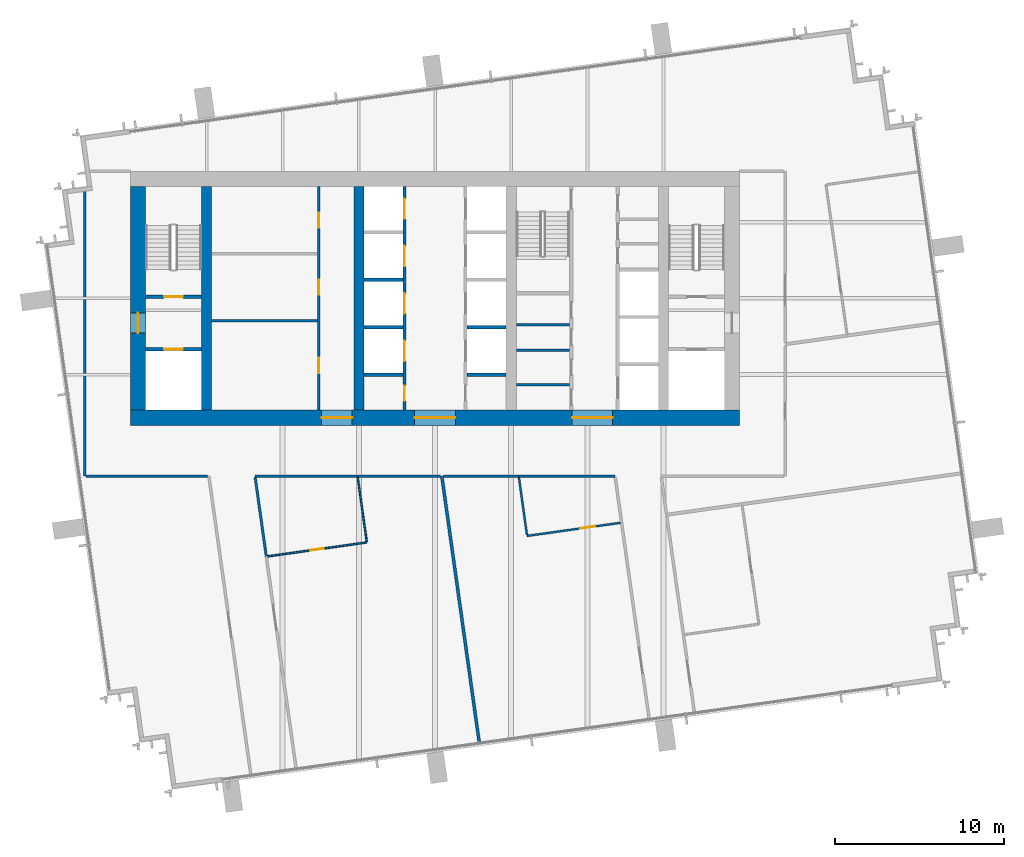
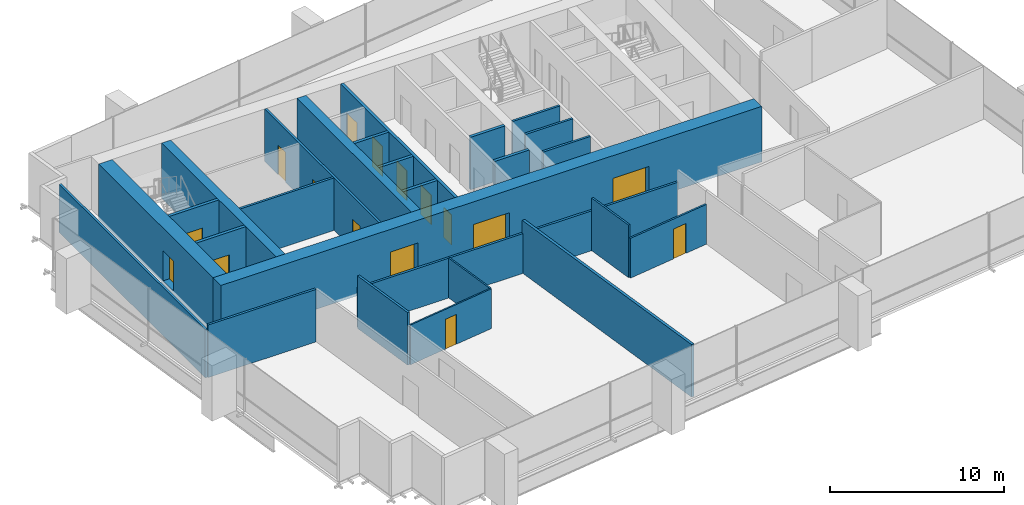
# One storey, part 9 of 13: 29 walls, 16 doors, 16 openings.
"""IFC4 building model written with IfcOpenShell, lengths in metres."""

import ifcopenshell
import ifcopenshell.guid

model = None  # the IFC model being written
_history = None  # IfcOwnerHistory: only IFC2X3 demands one
_inside = {}  # id of a spatial element -> (the spatial element, [elements in it])
_under = {}  # id of a project, library or spatial element -> (it, [spatial elements below it])
_declared = {}  # id of a project -> (the project, [libraries it declares])
_typed = {}  # id of a type object -> (the type object, [elements of that type])
_made_of = {}  # id of a material, layer set ... -> (it, [elements and type objects made of it])


def new_model(schema):
    """Start an empty IFC model of exactly this schema.

    Asked for "IFC4X3", IfcOpenShell would pick the latest addendum, in which some entities
    have other attributes; the version numbers below select the first issue.
    IFC2X3 requires an IfcOwnerHistory on every rooted entity: one is made here for all.
    """
    global model, _history
    if schema == "IFC4X3":
        model = ifcopenshell.file(schema_version=(4, 3, 0, 0))
    else:
        model = ifcopenshell.file(schema=schema)
    _inside.clear()
    _under.clear()
    _declared.clear()
    _typed.clear()
    _made_of.clear()
    _history = None
    if model.schema == "IFC2X3":
        org = make("IfcOrganization", Name="unknown")
        user = make(
            "IfcPersonAndOrganization",
            ThePerson=make("IfcPerson", FamilyName="unknown"),
            TheOrganization=org,
        )
        app = make(
            "IfcApplication",
            ApplicationDeveloper=org,
            Version="unknown",
            ApplicationFullName="unknown",
            ApplicationIdentifier="unknown",
        )
        _history = make(
            "IfcOwnerHistory",
            OwningUser=user,
            OwningApplication=app,
            ChangeAction="ADDED",
            CreationDate=0,
        )
    return model


def make(cls, **values):
    """One entity of the class cls with the attributes given. An attribute that is None is left unset."""
    return model.create_entity(
        cls, **{name: value for name, value in values.items() if value is not None}
    )


def rooted(cls, **values):
    """An entity with a GlobalId (a new one), such as an element, a storey or a relation."""
    return make(cls, GlobalId=ifcopenshell.guid.new(), OwnerHistory=_history, **values)


def si_unit(unit_type, name, prefix=None):
    """IfcSIUnit, for example si_unit("LENGTHUNIT", "METRE", prefix="MILLI")."""
    return make("IfcSIUnit", UnitType=unit_type, Prefix=prefix, Name=name)


def assignment(units):
    """IfcUnitAssignment: the units of a project."""
    return None if units is None else make("IfcUnitAssignment", Units=units)


def point(xyz):
    """IfcCartesianPoint."""
    return None if xyz is None else make("IfcCartesianPoint", Coordinates=xyz)


def direction(xyz):
    """IfcDirection."""
    return None if xyz is None else make("IfcDirection", DirectionRatios=xyz)


def frame(location, z_axis=None, x_axis=None):
    """IfcAxis2Placement3D, a coordinate frame: its origin and axes. An axis left out is left unset."""
    return make(
        "IfcAxis2Placement3D",
        Location=point(location),
        Axis=direction(z_axis),
        RefDirection=direction(x_axis),
    )


def frame_2d(location, x_axis=None):
    """IfcAxis2Placement2D, a coordinate frame in the plane: its origin and x axis."""
    return make(
        "IfcAxis2Placement2D", Location=point(location), RefDirection=direction(x_axis)
    )


def origin():
    """The frame at (0, 0, 0) with its axes left unset."""
    return frame((0.0, 0.0, 0.0))


def place(relative_to, where):
    """IfcLocalPlacement: puts the frame where relative to a parent placement (None: the world)."""
    return make(
        "IfcLocalPlacement", PlacementRelTo=relative_to, RelativePlacement=where
    )


def context(
    kind, dimensions, precision=None, world=None, true_north=None, identifier=None
):
    """IfcGeometricRepresentationContext, for example the 3D "Model" context."""
    return make(
        "IfcGeometricRepresentationContext",
        ContextIdentifier=identifier,
        ContextType=kind,
        CoordinateSpaceDimension=dimensions,
        Precision=precision,
        WorldCoordinateSystem=world,
        TrueNorth=true_north,
    )


def subcontext(parent, identifier, kind, view, scale=None):
    """IfcGeometricRepresentationSubContext, for example "Body" below "Model"."""
    return make(
        "IfcGeometricRepresentationSubContext",
        ContextIdentifier=identifier,
        ContextType=kind,
        ParentContext=parent,
        TargetScale=scale,
        TargetView=view,
    )


def project(units=None, contexts=None):
    """IfcProject with its units and contexts."""
    return rooted(
        "IfcProject",
        Name="project",
        RepresentationContexts=contexts,
        UnitsInContext=assignment(units),
    )


def spatial(cls, under=None, at=None, **own):
    """A site, building, storey or space (cls), placed at a placement, below another one or the project."""
    s = rooted(cls, ObjectPlacement=at, **own)
    if under is not None:
        _under.setdefault(under.id(), (under, []))[1].append(s)
    return s


def profile(cls, at=None, kind="AREA", **sizes):
    """A parametric profile (cls). Its sizes go by their IFC names, for example OverallWidth=200.0."""
    return make(cls, ProfileType=kind, Position=at, **sizes)


def rectangle(**sizes):
    """IfcRectangleProfileDef."""
    return profile("IfcRectangleProfileDef", **sizes)


def extrude(swept, where, along, depth):
    """IfcExtrudedAreaSolid: the profile swept, set in the frame where, extruded along a direction by depth."""
    return make(
        "IfcExtrudedAreaSolid",
        SweptArea=swept,
        Position=where,
        ExtrudedDirection=direction(along),
        Depth=depth,
    )


def shape(context_of_items, identifier, shape_type, items):
    """IfcShapeRepresentation: the items that make up one representation, for example the "Body"."""
    return make(
        "IfcShapeRepresentation",
        ContextOfItems=context_of_items,
        RepresentationIdentifier=identifier,
        RepresentationType=shape_type,
        Items=items,
    )


def material(Name=None, Category=None):
    """IfcMaterial."""
    return make("IfcMaterial", Name=Name, Category=Category)


def layer(
    of_material, thickness, ventilated=None, Name=None, Category=None, Priority=None
):
    """IfcMaterialLayer: one layer of a wall or slab, of a material (None: an air gap)."""
    return make(
        "IfcMaterialLayer",
        Material=of_material,
        LayerThickness=thickness,
        IsVentilated=ventilated,
        Name=Name,
        Category=Category,
        Priority=Priority,
    )


def layer_set(layers, Name=None):
    """IfcMaterialLayerSet."""
    return make("IfcMaterialLayerSet", MaterialLayers=layers, LayerSetName=Name)


def made_of(thing, what):
    """Note that an element or type object is made of a material, layer set ...; save() writes the relation."""
    if what is not None:
        _made_of.setdefault(what.id(), (what, []))[1].append(thing)
    return thing


def type_object(cls, material=None, **own):
    """A type object (cls), such as IfcWallType, which elements share."""
    return made_of(rooted(cls, **own), material)


def element(
    cls,
    number,
    at=None,
    inside=None,
    cuts=None,
    type_object=None,
    material=None,
    context=None,
    identifier="Body",
    shape_type=None,
    held_by="IfcProductDefinitionShape",
    body=None,
    shapes=None,
    **own,
):
    """One element of the class cls, such as IfcWall. Its Tag is "e" and its number.

    at: its placement. inside: the storey or other place that contains it. cuts: it is an
    opening in that element (IfcRelVoidsElement). A single representation is given by context,
    identifier, shape_type and body (its items); several are given by shapes. held_by: the class
    of the entity that holds the representations. save() writes the other relations.
    """
    e = rooted(cls, Tag="e%d" % number, ObjectPlacement=at, **own)
    if body is not None:
        shapes = [shape(context, identifier, shape_type, body)]
    if shapes is not None:
        e.Representation = make(held_by, Representations=shapes)
    if inside is not None:
        _inside.setdefault(inside.id(), (inside, []))[1].append(e)
    if cuts is not None:
        rooted(
            "IfcRelVoidsElement", RelatingBuildingElement=cuts, RelatedOpeningElement=e
        )
    if type_object is not None:
        _typed.setdefault(type_object.id(), (type_object, []))[1].append(e)
    return made_of(e, material)


def fill(opening, filler):
    """IfcRelFillsElement: the door or window that sits in an opening."""
    return rooted(
        "IfcRelFillsElement",
        RelatingOpeningElement=opening,
        RelatedBuildingElement=filler,
    )


def aggregate(whole, parts):
    """IfcRelAggregates: a whole, such as a stair, and the parts it consists of."""
    return rooted("IfcRelAggregates", RelatingObject=whole, RelatedObjects=parts)


def save(model, path):
    """Write the relations noted so far, then the file.

    IfcRelAggregates (storeys below a building ...), IfcRelContainedInSpatialStructure (elements
    in a storey), IfcRelDefinesByType, IfcRelAssociatesMaterial and IfcRelDeclares: one each for
    every whole, place, type object, material and project.
    """
    for whole, parts in _under.values():
        aggregate(whole, parts)
    for where, things in _inside.values():
        rooted(
            "IfcRelContainedInSpatialStructure",
            RelatedElements=things,
            RelatingStructure=where,
        )
    for kind, things in _typed.values():
        rooted("IfcRelDefinesByType", RelatedObjects=things, RelatingType=kind)
    for what, things in _made_of.values():
        rooted("IfcRelAssociatesMaterial", RelatedObjects=things, RelatingMaterial=what)
    for by, libraries in _declared.values():
        rooted("IfcRelDeclares", RelatingContext=by, RelatedDefinitions=libraries)
    model.write(path)


model = new_model("IFC4")

# Units and contexts
model_context = context("Model", 3, precision=1e-05, world=origin(), true_north=direction((0.0, 1.0)))
body_context = subcontext(model_context, "Body", "Model", "MODEL_VIEW")
ifc_project = project(units=[si_unit("LENGTHUNIT", "METRE"), si_unit("AREAUNIT", "SQUARE_METRE"), si_unit("VOLUMEUNIT", "CUBIC_METRE"), si_unit("PLANEANGLEUNIT", "RADIAN"), si_unit("MASSUNIT", "GRAM", prefix="KILO")], contexts=[model_context])

# Site, building, storey
site_placement = place(None, origin())
site = spatial("IfcSite", under=ifc_project, at=site_placement, CompositionType="ELEMENT")
building_placement = place(site_placement, origin())
building = spatial("IfcBuilding", under=site, at=building_placement, Name="Rattan Terrace Tower", CompositionType="ELEMENT")
storey_placement = place(building_placement, frame((0.0, 0.0, 240.800048828125)))
storey = spatial("IfcBuildingStorey", under=building, at=storey_placement, Name="L55", CompositionType="ELEMENT", Elevation=240.800048828125)

# Wall, openings, doors
ifc_material_1 = material(Name="Gypsum board partition")
ifc_layer_1 = layer(ifc_material_1, 0.14990234375)
ifc_layer_set_1 = layer_set([ifc_layer_1], Name="Core partition 150")
wall_type_1 = type_object("IfcWallType", Name="Core partition 150", PredefinedType="PARTITIONING", material=ifc_layer_set_1)
wall_1_placement = place(storey_placement, frame((-6.875, -6.60009765625, 0.0), z_axis=(0.0, 0.0, 1.0), x_axis=(0.0, 1.0, 0.0)))
wall_1 = element("IfcWall", 1, at=wall_1_placement, inside=storey, type_object=wall_type_1, Name="Core room wall", PredefinedType="PARTITIONING", context=body_context, shape_type="SweptSolid", body=[
    extrude(rectangle(XDim=13.2001953125, YDim=0.14990234375, at=frame_2d((6.60009765625, 0.0))), origin(), (0.0, 0.0, 1.0), 3.699951171875),
])
opening_1_placement = place(wall_1_placement, frame((2.18994140625, 0.0, 0.0)))
opening_1 = element("IfcOpeningElement", 2, at=opening_1_placement, cuts=wall_1, Name="Opening L55-D005", PredefinedType="OPENING", context=body_context, shape_type="SweptSolid", body=[
    extrude(rectangle(XDim=0.89990234375, YDim=2.10009765625, at=frame_2d((0.449951171875, 1.050048828125))), frame((0.0, 0.08544921875, 0.0), z_axis=(0.0, -1.0, 0.0), x_axis=(1.0, 0.0, 0.0)), (0.0, 0.0, 1.0), 0.1708984375),
])
opening_2_placement = place(wall_1_placement, frame((6.81005859375, 0.0, 0.0)))
opening_2 = element("IfcOpeningElement", 3, at=opening_2_placement, cuts=wall_1, Name="Opening L55-D006", PredefinedType="OPENING", context=body_context, shape_type="SweptSolid", body=[
    extrude(rectangle(XDim=0.89990234375, YDim=2.10009765625, at=frame_2d((0.449951171875, 1.050048828125))), frame((0.0, 0.08544921875, 0.0), z_axis=(0.0, -1.0, 0.0), x_axis=(1.0, 0.0, 0.0)), (0.0, 0.0, 1.0), 0.1708984375),
])
opening_3_placement = place(wall_1_placement, frame((10.77001953125, 0.0, 0.0)))
opening_3 = element("IfcOpeningElement", 4, at=opening_3_placement, cuts=wall_1, Name="Opening L55-D007", PredefinedType="OPENING", context=body_context, shape_type="SweptSolid", body=[
    extrude(rectangle(XDim=0.89990234375, YDim=2.10009765625, at=frame_2d((0.449951171875, 1.050048828125))), frame((0.0, 0.08544921875, 0.0), z_axis=(0.0, -1.0, 0.0), x_axis=(1.0, 0.0, 0.0)), (0.0, 0.0, 1.0), 0.1708984375),
])
ifc_material_2 = material(Name="Hollow-metal fire door leaf")
door_type_1 = type_object("IfcDoorType", Name="Core service room door 900", OperationType="NOTDEFINED", PredefinedType="DOOR", material=ifc_material_2)
door_1_placement = place(opening_1_placement, origin())
door_1 = element("IfcDoor", 5, at=door_1_placement, inside=storey, type_object=door_type_1, Name="Door L55-D005", OperationType="SINGLE_SWING_RIGHT", OverallHeight=2.10009765625, OverallWidth=0.89990234375, PredefinedType="DOOR", context=body_context, shape_type="SweptSolid", body=[
    extrude(rectangle(XDim=0.89990234375, YDim=2.10009765625, at=frame_2d((0.449951171875, 1.050048828125))), frame((0.0, 0.02490234375, 0.0), z_axis=(0.0, -1.0, 0.0), x_axis=(1.0, 0.0, 0.0)), (0.0, 0.0, 1.0), 0.050048828125),
])
fill(opening_1, door_1)
door_2_placement = place(opening_2_placement, origin())
door_2 = element("IfcDoor", 6, at=door_2_placement, inside=storey, type_object=door_type_1, Name="Door L55-D006", OperationType="SINGLE_SWING_LEFT", OverallHeight=2.10009765625, OverallWidth=0.89990234375, PredefinedType="DOOR", context=body_context, shape_type="SweptSolid", body=[
    extrude(rectangle(XDim=0.89990234375, YDim=2.10009765625, at=frame_2d((0.449951171875, 1.050048828125))), frame((0.0, 0.02490234375, 0.0), z_axis=(0.0, -1.0, 0.0), x_axis=(1.0, 0.0, 0.0)), (0.0, 0.0, 1.0), 0.050048828125),
])
fill(opening_2, door_2)
door_3_placement = place(opening_3_placement, origin())
door_3 = element("IfcDoor", 7, at=door_3_placement, inside=storey, type_object=door_type_1, Name="Door L55-D007", OperationType="SINGLE_SWING_RIGHT", OverallHeight=2.10009765625, OverallWidth=0.89990234375, PredefinedType="DOOR", context=body_context, shape_type="SweptSolid", body=[
    extrude(rectangle(XDim=0.89990234375, YDim=2.10009765625, at=frame_2d((0.449951171875, 1.050048828125))), frame((0.0, 0.02490234375, 0.0), z_axis=(0.0, -1.0, 0.0), x_axis=(1.0, 0.0, 0.0)), (0.0, 0.0, 1.0), 0.050048828125),
])
fill(opening_3, door_3)

# Walls
wall_2_placement = place(storey_placement, frame((-13.199951171875, -1.320068359375, 0.0), z_axis=(0.0, 0.0, 1.0), x_axis=(1.0, 0.0, 0.0)))
element("IfcWall", 8, at=wall_2_placement, inside=storey, type_object=wall_type_1, Name="Core room wall", PredefinedType="PARTITIONING", context=body_context, shape_type="SweptSolid", body=[
    extrude(rectangle(XDim=6.25, YDim=0.14990234375, at=frame_2d((3.125, 0.0))), origin(), (0.0, 0.0, 1.0), 3.699951171875),
])
for number, where, z_axis, x_axis, name in (
    (9, (4.800048828125, -5.10400390625, 0.0), (0.0, 0.0, 1.0), (1.0, 0.0, 0.0), "Toilet wall"),
    (10, (4.800048828125, -3.06396484375, 0.0), (0.0, 0.0, 1.0), (1.0, 0.0, 0.0), "Toilet wall"),
    (11, (4.800048828125, -1.568115234375, 0.0), (0.0, 0.0, 1.0), (1.0, 0.0, 0.0), "Toilet wall"),
):
    element("IfcWall", number, at=place(storey_placement, frame(where, z_axis=z_axis, x_axis=x_axis)), inside=storey, type_object=wall_type_1, Name=name, PredefinedType="PARTITIONING", context=body_context, shape_type="SweptSolid", body=[
        extrude(rectangle(XDim=3.14990234375, YDim=0.14990234375, at=frame_2d((1.574951171875, 0.0))), origin(), (0.0, 0.0, 1.0), 3.699951171875),
    ])

# Wall, opening, door
ifc_material_3 = material(Name="Gypsum board partition")
ifc_layer_2 = layer(ifc_material_3, 0.199951171875)
ifc_layer_set_2 = layer_set([ifc_layer_2], Name="Core partition 200")
wall_type_2 = type_object("IfcWallType", Name="Core partition 200", PredefinedType="PARTITIONING", material=ifc_layer_set_2)
wall_3_placement = place(storey_placement, frame((-17.10009765625, -3.0, 0.0), z_axis=(0.0, 0.0, 1.0), x_axis=(1.0, 0.0, 0.0)))
wall_3 = element("IfcWall", 12, at=wall_3_placement, inside=storey, type_object=wall_type_2, Name="Fire-fighting lobby wall", PredefinedType="PARTITIONING", context=body_context, shape_type="SweptSolid", body=[
    extrude(rectangle(XDim=3.300048828125, YDim=0.199951171875, at=frame_2d((1.64990234375, 0.0))), origin(), (0.0, 0.0, 1.0), 3.699951171875),
])
opening_4_placement = place(wall_3_placement, frame((1.10009765625, 0.0, 0.0)))
opening_4 = element("IfcOpeningElement", 13, at=opening_4_placement, cuts=wall_3, Name="Opening L55-LD-FF1", PredefinedType="OPENING", context=body_context, shape_type="SweptSolid", body=[
    extrude(rectangle(XDim=1.10009765625, YDim=2.10009765625, at=frame_2d((0.550048828125, 1.050048828125))), frame((0.0, 0.110595703125, 0.0), z_axis=(0.0, -1.0, 0.0), x_axis=(1.0, 0.0, 0.0)), (0.0, 0.0, 1.0), 0.220947265625),
])
ifc_material_4 = material(Name="Brushed stainless landing door panel")
door_type_2 = type_object("IfcDoorType", Name="Core lift landing door 1100", OperationType="DOUBLE_DOOR_SLIDING", PredefinedType="DOOR", material=ifc_material_4)
door_4_placement = place(opening_4_placement, origin())
door_4 = element("IfcDoor", 14, at=door_4_placement, inside=storey, type_object=door_type_2, Name="Door L55-LD-FF1", OperationType="DOUBLE_DOOR_SLIDING", OverallHeight=2.10009765625, OverallWidth=1.10009765625, PredefinedType="DOOR", context=body_context, shape_type="SweptSolid", body=[
    extrude(rectangle(XDim=1.10009765625, YDim=2.10009765625, at=frame_2d((0.550048828125, 1.050048828125))), frame((0.0, 0.02490234375, 0.0), z_axis=(0.0, -1.0, 0.0), x_axis=(1.0, 0.0, 0.0)), (0.0, 0.0, 1.0), 0.050048828125),
])
fill(opening_4, door_4)

wall_4_placement = place(storey_placement, frame((-17.10009765625, 0.10009765625, 0.0), z_axis=(0.0, 0.0, 1.0), x_axis=(1.0, 0.0, 0.0)))
wall_4 = element("IfcWall", 15, at=wall_4_placement, inside=storey, type_object=wall_type_2, Name="Stair enclosure wall", PredefinedType="PARTITIONING", context=body_context, shape_type="SweptSolid", body=[
    extrude(rectangle(XDim=3.300048828125, YDim=0.199951171875, at=frame_2d((1.64990234375, 0.0))), origin(), (0.0, 0.0, 1.0), 3.699951171875),
])
opening_5_placement = place(wall_4_placement, frame((1.10009765625, 0.0, 0.0)))
opening_5 = element("IfcOpeningElement", 16, at=opening_5_placement, cuts=wall_4, Name="Opening L55-D002", PredefinedType="OPENING", context=body_context, shape_type="SweptSolid", body=[
    extrude(rectangle(XDim=1.10009765625, YDim=2.10009765625, at=frame_2d((0.550048828125, 1.050048828125))), frame((0.0, 0.110595703125, 0.0), z_axis=(0.0, -1.0, 0.0), x_axis=(1.0, 0.0, 0.0)), (0.0, 0.0, 1.0), 0.220947265625),
])
ifc_material_5 = material(Name="Hollow-metal fire door leaf")
door_type_3 = type_object("IfcDoorType", Name="Core stair door 1100", OperationType="NOTDEFINED", PredefinedType="DOOR", material=ifc_material_5)
door_5_placement = place(opening_5_placement, origin())
door_5 = element("IfcDoor", 17, at=door_5_placement, inside=storey, type_object=door_type_3, Name="Door L55-D002", OperationType="SINGLE_SWING_LEFT", OverallHeight=2.10009765625, OverallWidth=1.10009765625, PredefinedType="DOOR", context=body_context, shape_type="SweptSolid", body=[
    extrude(rectangle(XDim=1.10009765625, YDim=2.10009765625, at=frame_2d((0.550048828125, 1.050048828125))), frame((0.0, 0.02490234375, 0.0), z_axis=(0.0, -1.0, 0.0), x_axis=(1.0, 0.0, 0.0)), (0.0, 0.0, 1.0), 0.050048828125),
])
fill(opening_5, door_5)

# Wall, openings, doors
ifc_material_6 = material(Name="Concrete C50/60", Category="concrete")
ifc_layer_3 = layer(ifc_material_6, 0.89990234375)
ifc_layer_set_3 = layer_set([ifc_layer_3], Name="Core ring wall 900 C50/60")
wall_type_3 = type_object("IfcWallType", Name="Core ring wall 900 C50/60", PredefinedType="SHEAR", material=ifc_layer_set_3)
wall_5_placement = place(storey_placement, frame((-18.0, -7.050048828125, -0.199951171875), z_axis=(0.0, 0.0, 1.0), x_axis=(1.0, 0.0, 0.0)))
wall_5 = element("IfcWall", 18, at=wall_5_placement, inside=storey, type_object=wall_type_3, Name="Rear core wall south", PredefinedType="SHEAR", context=body_context, shape_type="SweptSolid", body=[
    extrude(rectangle(XDim=36.0, YDim=0.89990234375, at=frame_2d((18.0, 0.0))), origin(), (0.0, 0.0, 1.0), 3.89990234375),
])
opening_6_placement = place(wall_5_placement, frame((11.300048828125, 0.0, 0.199951171875)))
opening_6 = element("IfcOpeningElement", 19, at=opening_6_placement, cuts=wall_5, Name="Opening L55-D008", PredefinedType="OPENING", context=body_context, shape_type="SweptSolid", body=[
    extrude(rectangle(XDim=1.800048828125, YDim=2.10009765625, at=frame_2d((0.89990234375, 1.050048828125))), frame((0.0, 0.46044921875, 0.0), z_axis=(0.0, -1.0, 0.0), x_axis=(1.0, 0.0, 0.0)), (0.0, 0.0, 1.0), 0.9208984375),
])
opening_7_placement = place(wall_5_placement, frame((16.800048828125, 0.0, 0.199951171875)))
opening_7 = element("IfcOpeningElement", 20, at=opening_7_placement, cuts=wall_5, Name="Opening L55-D011", PredefinedType="OPENING", context=body_context, shape_type="SweptSolid", body=[
    extrude(rectangle(XDim=2.39990234375, YDim=2.10009765625, at=frame_2d((1.199951171875, 1.050048828125))), frame((0.0, 0.46044921875, 0.0), z_axis=(0.0, -1.0, 0.0), x_axis=(1.0, 0.0, 0.0)), (0.0, 0.0, 1.0), 0.9208984375),
])
opening_8_placement = place(wall_5_placement, frame((26.10009765625, 0.0, 0.199951171875)))
opening_8 = element("IfcOpeningElement", 21, at=opening_8_placement, cuts=wall_5, Name="Opening L55-D017", PredefinedType="OPENING", context=body_context, shape_type="SweptSolid", body=[
    extrude(rectangle(XDim=2.39990234375, YDim=2.10009765625, at=frame_2d((1.199951171875, 1.050048828125))), frame((0.0, 0.46044921875, 0.0), z_axis=(0.0, -1.0, 0.0), x_axis=(1.0, 0.0, 0.0)), (0.0, 0.0, 1.0), 0.9208984375),
])
ifc_material_7 = material(Name="Hollow-metal fire door leaf")
door_type_4 = type_object("IfcDoorType", Name="Core lift lobby door 2400", OperationType="NOTDEFINED", PredefinedType="DOOR", material=ifc_material_7)
door_6_placement = place(opening_7_placement, origin())
door_6 = element("IfcDoor", 22, at=door_6_placement, inside=storey, type_object=door_type_4, Name="Door L55-D011", OperationType="DOUBLE_DOOR_DOUBLE_SWING", OverallHeight=2.10009765625, OverallWidth=2.39990234375, PredefinedType="DOOR", context=body_context, shape_type="SweptSolid", body=[
    extrude(rectangle(XDim=2.39990234375, YDim=2.10009765625, at=frame_2d((1.199951171875, 1.050048828125))), frame((0.0, 0.02490234375, 0.0), z_axis=(0.0, -1.0, 0.0), x_axis=(1.0, 0.0, 0.0)), (0.0, 0.0, 1.0), 0.050048828125),
])
fill(opening_7, door_6)
door_7_placement = place(opening_8_placement, origin())
door_7 = element("IfcDoor", 23, at=door_7_placement, inside=storey, type_object=door_type_4, Name="Door L55-D017", OperationType="DOUBLE_DOOR_DOUBLE_SWING", OverallHeight=2.10009765625, OverallWidth=2.39990234375, PredefinedType="DOOR", context=body_context, shape_type="SweptSolid", body=[
    extrude(rectangle(XDim=2.39990234375, YDim=2.10009765625, at=frame_2d((1.199951171875, 1.050048828125))), frame((0.0, 0.02490234375, 0.0), z_axis=(0.0, -1.0, 0.0), x_axis=(1.0, 0.0, 0.0)), (0.0, 0.0, 1.0), 0.050048828125),
])
fill(opening_8, door_7)
ifc_material_8 = material(Name="Hollow-metal fire door leaf")
door_type_5 = type_object("IfcDoorType", Name="Core service room door 1800", OperationType="NOTDEFINED", PredefinedType="DOOR", material=ifc_material_8)
door_8_placement = place(opening_6_placement, origin())
door_8 = element("IfcDoor", 24, at=door_8_placement, inside=storey, type_object=door_type_5, Name="Door L55-D008", OperationType="SINGLE_SWING_LEFT", OverallHeight=2.10009765625, OverallWidth=1.800048828125, PredefinedType="DOOR", context=body_context, shape_type="SweptSolid", body=[
    extrude(rectangle(XDim=1.800048828125, YDim=2.10009765625, at=frame_2d((0.89990234375, 1.050048828125))), frame((0.0, 0.02490234375, 0.0), z_axis=(0.0, -1.0, 0.0), x_axis=(1.0, 0.0, 0.0)), (0.0, 0.0, 1.0), 0.050048828125),
])
fill(opening_6, door_8)

# Wall, opening, door
wall_6_placement = place(storey_placement, frame((-17.550048828125, -6.60009765625, -0.199951171875), z_axis=(0.0, 0.0, 1.0), x_axis=(0.0, 1.0, 0.0)))
wall_6 = element("IfcWall", 25, at=wall_6_placement, inside=storey, type_object=wall_type_3, Name="Rear core wall west", PredefinedType="SHEAR", context=body_context, shape_type="SweptSolid", body=[
    extrude(rectangle(XDim=13.2001953125, YDim=0.89990234375, at=frame_2d((6.60009765625, 0.0))), origin(), (0.0, 0.0, 1.0), 3.89990234375),
])
opening_9_placement = place(wall_6_placement, frame((4.550048828125, 0.0, 0.199951171875)))
opening_9 = element("IfcOpeningElement", 26, at=opening_9_placement, cuts=wall_6, Name="Opening L55-D001", PredefinedType="OPENING", context=body_context, shape_type="SweptSolid", body=[
    extrude(rectangle(XDim=1.199951171875, YDim=2.10009765625, at=frame_2d((0.60009765625, 1.050048828125))), frame((0.0, 0.46044921875, 0.0), z_axis=(0.0, -1.0, 0.0), x_axis=(1.0, 0.0, 0.0)), (0.0, 0.0, 1.0), 0.9208984375),
])
ifc_material_9 = material(Name="Hollow-metal fire door leaf")
door_type_6 = type_object("IfcDoorType", Name="Core fire-fighting lobby door 1200", OperationType="NOTDEFINED", PredefinedType="DOOR", material=ifc_material_9)
door_9_placement = place(opening_9_placement, origin())
door_9 = element("IfcDoor", 27, at=door_9_placement, inside=storey, type_object=door_type_6, Name="Door L55-D001", OperationType="SINGLE_SWING_RIGHT", OverallHeight=2.10009765625, OverallWidth=1.199951171875, PredefinedType="DOOR", context=body_context, shape_type="SweptSolid", body=[
    extrude(rectangle(XDim=1.199951171875, YDim=2.10009765625, at=frame_2d((0.60009765625, 1.050048828125))), frame((0.0, 0.02490234375, 0.0), z_axis=(0.0, -1.0, 0.0), x_axis=(1.0, 0.0, 0.0)), (0.0, 0.0, 1.0), 0.050048828125),
])
fill(opening_9, door_9)

# Walls
ifc_material_10 = material(Name="Concrete C50/60", Category="concrete")
ifc_layer_4 = layer(ifc_material_10, 0.60009765625)
ifc_layer_set_4 = layer_set([ifc_layer_4], Name="Core spine wall 600 C50/60")
wall_type_4 = type_object("IfcWallType", Name="Core spine wall 600 C50/60", PredefinedType="SHEAR", material=ifc_layer_set_4)
for number, where, z_axis, x_axis, name in (
    (28, (-13.5, -6.60009765625, -0.199951171875), (0.0, 0.0, 1.0), (0.0, 1.0, 0.0), "Core spine wall 1"),
    (29, (-4.5, -6.60009765625, -0.199951171875), (0.0, 0.0, 1.0), (0.0, 1.0, 0.0), "Core spine wall 2"),
):
    element("IfcWall", number, at=place(storey_placement, frame(where, z_axis=z_axis, x_axis=x_axis)), inside=storey, type_object=wall_type_4, Name=name, PredefinedType="SHEAR", context=body_context, shape_type="SweptSolid", body=[
        extrude(rectangle(XDim=13.2001953125, YDim=0.60009765625, at=frame_2d((6.60009765625, 0.0))), origin(), (0.0, 0.0, 1.0), 3.89990234375),
    ])
ifc_material_11 = material(Name="Double steel stud acoustic partition, gypsum board, mineral wool, fire rated", Category="steel")
ifc_layer_5 = layer(ifc_material_11, 0.179931640625)
ifc_layer_set_5 = layer_set([ifc_layer_5], Name="Floors Acoustic Party Wall 180")
wall_type_5 = type_object("IfcWallType", Name="Floors Acoustic Party Wall 180", PredefinedType="PARTITIONING", material=ifc_layer_set_5)
wall_7_placement = place(storey_placement, frame((0.402099609375, -10.5, 0.0), z_axis=(0.0, 0.0, 1.0), x_axis=(0.139104966254, -0.99027764206, 0.0)))
element("IfcWall", 30, at=wall_7_placement, inside=storey, type_object=wall_type_5, Name="pt-L55-030", PredefinedType="PARTITIONING", context=body_context, shape_type="SweptSolid", body=[
    extrude(rectangle(XDim=15.85009765625, YDim=0.179931640625, at=frame_2d((7.925048828125, 0.0))), origin(), (0.0, 0.0, 1.0), 3.699951171875),
])

# Wall, opening, door
ifc_material_12 = material(Name="Gypsum board partition on steel studs", Category="steel")
ifc_layer_6 = layer(ifc_material_12, 0.10009765625)
ifc_layer_set_6 = layer_set([ifc_layer_6], Name="Floors Partition 100")
wall_type_6 = type_object("IfcWallType", Name="Floors Partition 100", PredefinedType="PARTITIONING", material=ifc_layer_set_6)
wall_8_placement = place(storey_placement, frame((-9.89404296875, -15.242919921875, 0.0), z_axis=(0.0, 0.0, 1.0), x_axis=(0.990258620858, 0.139240309595, 0.0)))
wall_8 = element("IfcWall", 31, at=wall_8_placement, inside=storey, type_object=wall_type_6, Name="pt-L55-028", PredefinedType="PARTITIONING", context=body_context, shape_type="SweptSolid", body=[
    extrude(rectangle(XDim=5.924560546875, YDim=0.10009765625, at=frame_2d((2.96240234375, 0.0))), origin(), (0.0, 0.0, 1.0), 2.800048828125),
])
opening_10_placement = place(wall_8_placement, frame((2.56201171875, 0.0, 0.0)))
opening_10 = element("IfcOpeningElement", 32, at=opening_10_placement, cuts=wall_8, Name="Opening L55-D107", PredefinedType="OPENING", context=body_context, shape_type="SweptSolid", body=[
    extrude(rectangle(XDim=0.800048828125, YDim=2.10009765625, at=frame_2d((0.39990234375, 1.050048828125))), frame((0.0, 0.060546875, 0.0), z_axis=(0.0, -1.0, 0.0), x_axis=(1.0, 0.0, 0.0)), (0.0, 0.0, 1.0), 0.12109375),
])
ifc_material_13 = material(Name="Solid core timber door, painted", Category="wood")
door_type_7 = type_object("IfcDoorType", Name="Floors Store Door 800x2100", OperationType="NOTDEFINED", PredefinedType="DOOR", material=ifc_material_13)
door_10_placement = place(opening_10_placement, origin())
door_10 = element("IfcDoor", 33, at=door_10_placement, inside=storey, type_object=door_type_7, Name="d-L55-107", OperationType="SINGLE_SWING_RIGHT", OverallHeight=2.10009765625, OverallWidth=0.800048828125, PredefinedType="DOOR", context=body_context, shape_type="SweptSolid", body=[
    extrude(rectangle(XDim=0.800048828125, YDim=2.10009765625, at=frame_2d((0.39990234375, 1.050048828125))), frame((0.0, 0.02490234375, 0.0), z_axis=(0.0, -1.0, 0.0), x_axis=(1.0, 0.0, 0.0)), (0.0, 0.0, 1.0), 0.050048828125),
])
fill(opening_10, door_10)

# Walls
wall_9_placement = place(storey_placement, frame((-4.033935546875, -14.367919921875, 0.0), z_axis=(0.0, 0.0, 1.0), x_axis=(-0.138899955752, 0.990306418384, 0.0)))
element("IfcWall", 34, at=wall_9_placement, inside=storey, type_object=wall_type_6, Name="pt-L55-029", PredefinedType="PARTITIONING", context=body_context, shape_type="SweptSolid", body=[
    extrude(rectangle(XDim=3.8369140625, YDim=0.10009765625, at=frame_2d((1.91845703125, 0.0))), origin(), (0.0, 0.0, 1.0), 2.800048828125),
])
ifc_material_14 = material(Name="Gypsum board partition on steel studs, fire rated", Category="steel")
ifc_layer_7 = layer(ifc_material_14, 0.14990234375)
ifc_layer_set_7 = layer_set([ifc_layer_7], Name="Floors Tenancy Wall 150")
wall_type_7 = type_object("IfcWallType", Name="Floors Tenancy Wall 150", PredefinedType="PARTITIONING", material=ifc_layer_set_7)
wall_10_placement = place(storey_placement, frame((-20.699951171875, -10.5, 0.0), z_axis=(0.0, 0.0, 1.0), x_axis=(0.0, 1.0, 0.0)))
element("IfcWall", 35, at=wall_10_placement, inside=storey, type_object=wall_type_7, Name="pt-L55-001", PredefinedType="PARTITIONING", context=body_context, shape_type="SweptSolid", body=[
    extrude(rectangle(XDim=16.85595703125, YDim=0.14990234375, at=frame_2d((8.427978515625, 0.0))), origin(), (0.0, 0.0, 1.0), 3.39990234375),
])
wall_11_placement = place(storey_placement, frame((-13.43701171875, -10.5, 0.0), z_axis=(0.0, 0.0, 1.0), x_axis=(-1.0, 0.0, 0.0)))
element("IfcWall", 36, at=wall_11_placement, inside=storey, type_object=wall_type_7, Name="pt-L55-002", PredefinedType="PARTITIONING", context=body_context, shape_type="SweptSolid", body=[
    extrude(rectangle(XDim=7.18798828125, YDim=0.14990234375, at=frame_2d((3.593994140625, 0.0))), origin(), (0.0, 0.0, 1.0), 3.699951171875),
])
wall_12_placement = place(storey_placement, frame((0.31298828125, -10.5, 0.0), z_axis=(0.0, 0.0, 1.0), x_axis=(-1.0, 0.0, 0.0)))
element("IfcWall", 37, at=wall_12_placement, inside=storey, type_object=wall_type_7, Name="pt-L55-013", PredefinedType="PARTITIONING", context=body_context, shape_type="SweptSolid", body=[
    extrude(rectangle(XDim=4.869873046875, YDim=0.14990234375, at=frame_2d((2.43505859375, 0.0))), origin(), (0.0, 0.0, 1.0), 2.800048828125),
])
wall_13_placement = place(storey_placement, frame((-10.625, -10.5849609375, 0.0), z_axis=(0.0, 0.0, 1.0), x_axis=(0.139112996275, -0.990276514044, 0.0)))
element("IfcWall", 38, at=wall_13_placement, inside=storey, type_object=wall_type_7, Name="pt-L55-014", PredefinedType="PARTITIONING", context=body_context, shape_type="SweptSolid", body=[
    extrude(rectangle(XDim=4.694580078125, YDim=0.14990234375, at=frame_2d((2.34716796875, 0.0))), origin(), (0.0, 0.0, 1.0), 3.699951171875),
])
wall_14_placement = place(storey_placement, frame((-4.556884765625, -10.5, 0.0), z_axis=(0.0, 0.0, 1.0), x_axis=(-1.0, 0.0, 0.0)))
element("IfcWall", 39, at=wall_14_placement, inside=storey, type_object=wall_type_7, Name="pt-L55-015", PredefinedType="PARTITIONING", context=body_context, shape_type="SweptSolid", body=[
    extrude(rectangle(XDim=6.080078125, YDim=0.14990234375, at=frame_2d((3.0400390625, 0.0))), origin(), (0.0, 0.0, 1.0), 2.800048828125),
])
wall_15_placement = place(storey_placement, frame((4.926025390625, -10.5, 0.0), z_axis=(0.0, 0.0, 1.0), x_axis=(-1.0, 0.0, 0.0)))
element("IfcWall", 40, at=wall_15_placement, inside=storey, type_object=wall_type_7, Name="pt-L55-016", PredefinedType="PARTITIONING", context=body_context, shape_type="SweptSolid", body=[
    extrude(rectangle(XDim=4.423095703125, YDim=0.14990234375, at=frame_2d((2.21142578125, 0.0))), origin(), (0.0, 0.0, 1.0), 2.800048828125),
])
wall_16_placement = place(storey_placement, frame((10.636962890625, -10.5, 0.0), z_axis=(0.0, 0.0, 1.0), x_axis=(-1.0, 0.0, 0.0)))
element("IfcWall", 41, at=wall_16_placement, inside=storey, type_object=wall_type_7, Name="pt-L55-018", PredefinedType="PARTITIONING", context=body_context, shape_type="SweptSolid", body=[
    extrude(rectangle(XDim=5.7109375, YDim=0.14990234375, at=frame_2d((2.85546875, 0.0))), origin(), (0.0, 0.0, 1.0), 2.800048828125),
])
ifc_material_15 = material(Name="Moisture resistant gypsum board partition on steel studs with service cavity", Category="steel")
ifc_layer_8 = layer(ifc_material_15, 0.1201171875)
ifc_layer_set_8 = layer_set([ifc_layer_8], Name="Floors Wet Wall 120")
wall_type_8 = type_object("IfcWallType", Name="Floors Wet Wall 120", PredefinedType="PARTITIONING", material=ifc_layer_set_8)
wall_17_placement = place(storey_placement, frame((4.955078125, -10.56689453125, 0.0), z_axis=(0.0, 0.0, 1.0), x_axis=(0.138937352788, -0.990301172372, 0.0)))
element("IfcWall", 42, at=wall_17_placement, inside=storey, type_object=wall_type_8, Name="pt-L55-031", PredefinedType="PARTITIONING", context=body_context, shape_type="SweptSolid", body=[
    extrude(rectangle(XDim=3.440673828125, YDim=0.1201171875, at=frame_2d((1.72021484375, 0.0))), origin(), (0.0, 0.0, 1.0), 3.699951171875),
])

# Wall, opening, door
wall_18_placement = place(storey_placement, frame((5.44189453125, -14.032958984375, 0.0), z_axis=(0.0, 0.0, 1.0), x_axis=(0.990269155404, 0.139165368738, 0.0)))
wall_18 = element("IfcWall", 43, at=wall_18_placement, inside=storey, type_object=wall_type_8, Name="pt-L55-032", PredefinedType="PARTITIONING", context=body_context, shape_type="SweptSolid", body=[
    extrude(rectangle(XDim=5.561279296875, YDim=0.1201171875, at=frame_2d((2.78076171875, 0.0))), origin(), (0.0, 0.0, 1.0), 2.800048828125),
])
opening_11_placement = place(wall_18_placement, frame((3.1630859375, 0.0, 0.0)))
opening_11 = element("IfcOpeningElement", 44, at=opening_11_placement, cuts=wall_18, Name="Opening L55-D109", PredefinedType="OPENING", context=body_context, shape_type="SweptSolid", body=[
    extrude(rectangle(XDim=0.89990234375, YDim=2.10009765625, at=frame_2d((0.449951171875, 1.050048828125))), frame((0.0, 0.070556640625, 0.0), z_axis=(0.0, -1.0, 0.0), x_axis=(1.0, 0.0, 0.0)), (0.0, 0.0, 1.0), 0.14111328125),
])
ifc_material_16 = material(Name="Solid core timber door, painted", Category="wood")
door_type_8 = type_object("IfcDoorType", Name="Floors Door 900x2100", OperationType="NOTDEFINED", PredefinedType="DOOR", material=ifc_material_16)
door_11_placement = place(opening_11_placement, origin())
door_11 = element("IfcDoor", 45, at=door_11_placement, inside=storey, type_object=door_type_8, Name="d-L55-109", OperationType="SINGLE_SWING_RIGHT", OverallHeight=2.10009765625, OverallWidth=0.89990234375, PredefinedType="DOOR", context=body_context, shape_type="SweptSolid", body=[
    extrude(rectangle(XDim=0.89990234375, YDim=2.10009765625, at=frame_2d((0.449951171875, 1.050048828125))), frame((0.0, 0.02490234375, 0.0), z_axis=(0.0, -1.0, 0.0), x_axis=(1.0, 0.0, 0.0)), (0.0, 0.0, 1.0), 0.050048828125),
])
fill(opening_11, door_11)

# Wall, openings, doors
ifc_material_17 = material(Name="Gypsum shaft wall system")
ifc_layer_9 = layer(ifc_material_17, 0.199951171875)
ifc_layer_set_9 = layer_set([ifc_layer_9], Name="Lift shaft wall 200")
wall_type_9 = type_object("IfcWallType", Name="Lift shaft wall 200", PredefinedType="PARTITIONING", material=ifc_layer_set_9)
wall_19_placement = place(storey_placement, frame((-1.800048828125, -6.60009765625, 0.0), z_axis=(0.0, 0.0, 1.0), x_axis=(0.0, 1.0, 0.0)))
wall_19 = element("IfcWall", 46, at=wall_19_placement, inside=storey, type_object=wall_type_9, Name="Lift shaft front wall", PredefinedType="PARTITIONING", context=body_context, shape_type="SweptSolid", body=[
    extrude(rectangle(XDim=13.2001953125, YDim=0.199951171875, at=frame_2d((6.60009765625, 0.0))), origin(), (0.0, 0.0, 1.0), 3.699951171875),
])
opening_12_placement = place(wall_19_placement, frame((0.550048828125, 0.0, 0.0)))
opening_12 = element("IfcOpeningElement", 47, at=opening_12_placement, cuts=wall_19, Name="Opening L55-D009", PredefinedType="OPENING", context=body_context, shape_type="SweptSolid", body=[
    extrude(rectangle(XDim=0.89990234375, YDim=2.10009765625, at=frame_2d((0.449951171875, 1.050048828125))), frame((0.0, 0.110595703125, 0.0), z_axis=(0.0, -1.0, 0.0), x_axis=(1.0, 0.0, 0.0)), (0.0, 0.0, 1.0), 0.220947265625),
])
opening_13_placement = place(wall_19_placement, frame((2.89990234375, 0.0, 0.0)))
opening_13 = element("IfcOpeningElement", 48, at=opening_13_placement, cuts=wall_19, Name="Opening L55-LD-HR1", PredefinedType="OPENING", context=body_context, shape_type="SweptSolid", body=[
    extrude(rectangle(XDim=1.199951171875, YDim=2.10009765625, at=frame_2d((0.60009765625, 1.050048828125))), frame((0.0, 0.110595703125, 0.0), z_axis=(0.0, -1.0, 0.0), x_axis=(1.0, 0.0, 0.0)), (0.0, 0.0, 1.0), 0.220947265625),
])
opening_14_placement = place(wall_19_placement, frame((5.699951171875, 0.0, 0.0)))
opening_14 = element("IfcOpeningElement", 49, at=opening_14_placement, cuts=wall_19, Name="Opening L55-LD-HR2", PredefinedType="OPENING", context=body_context, shape_type="SweptSolid", body=[
    extrude(rectangle(XDim=1.199951171875, YDim=2.10009765625, at=frame_2d((0.60009765625, 1.050048828125))), frame((0.0, 0.110595703125, 0.0), z_axis=(0.0, -1.0, 0.0), x_axis=(1.0, 0.0, 0.0)), (0.0, 0.0, 1.0), 0.220947265625),
])
opening_15_placement = place(wall_19_placement, frame((8.5, 0.0, 0.0)))
opening_15 = element("IfcOpeningElement", 50, at=opening_15_placement, cuts=wall_19, Name="Opening L55-LD-HR3", PredefinedType="OPENING", context=body_context, shape_type="SweptSolid", body=[
    extrude(rectangle(XDim=1.199951171875, YDim=2.10009765625, at=frame_2d((0.60009765625, 1.050048828125))), frame((0.0, 0.110595703125, 0.0), z_axis=(0.0, -1.0, 0.0), x_axis=(1.0, 0.0, 0.0)), (0.0, 0.0, 1.0), 0.220947265625),
])
opening_16_placement = place(wall_19_placement, frame((11.300048828125, 0.0, 0.0)))
opening_16 = element("IfcOpeningElement", 51, at=opening_16_placement, cuts=wall_19, Name="Opening L55-LD-HR4", PredefinedType="OPENING", context=body_context, shape_type="SweptSolid", body=[
    extrude(rectangle(XDim=1.199951171875, YDim=2.10009765625, at=frame_2d((0.60009765625, 1.050048828125))), frame((0.0, 0.110595703125, 0.0), z_axis=(0.0, -1.0, 0.0), x_axis=(1.0, 0.0, 0.0)), (0.0, 0.0, 1.0), 0.220947265625),
])
ifc_material_18 = material(Name="Brushed stainless landing door panel")
door_type_9 = type_object("IfcDoorType", Name="Core lift landing door 1200", OperationType="DOUBLE_DOOR_SLIDING", PredefinedType="DOOR", material=ifc_material_18)
door_12_placement = place(opening_13_placement, origin())
door_12 = element("IfcDoor", 52, at=door_12_placement, inside=storey, type_object=door_type_9, Name="Door L55-LD-HR1", OperationType="DOUBLE_DOOR_SLIDING", OverallHeight=2.10009765625, OverallWidth=1.199951171875, PredefinedType="DOOR", context=body_context, shape_type="SweptSolid", body=[
    extrude(rectangle(XDim=1.199951171875, YDim=2.10009765625, at=frame_2d((0.60009765625, 1.050048828125))), frame((0.0, 0.02490234375, 0.0), z_axis=(0.0, -1.0, 0.0), x_axis=(1.0, 0.0, 0.0)), (0.0, 0.0, 1.0), 0.050048828125),
])
fill(opening_13, door_12)
door_13_placement = place(opening_14_placement, origin())
door_13 = element("IfcDoor", 53, at=door_13_placement, inside=storey, type_object=door_type_9, Name="Door L55-LD-HR2", OperationType="DOUBLE_DOOR_SLIDING", OverallHeight=2.10009765625, OverallWidth=1.199951171875, PredefinedType="DOOR", context=body_context, shape_type="SweptSolid", body=[
    extrude(rectangle(XDim=1.199951171875, YDim=2.10009765625, at=frame_2d((0.60009765625, 1.050048828125))), frame((0.0, 0.02490234375, 0.0), z_axis=(0.0, -1.0, 0.0), x_axis=(1.0, 0.0, 0.0)), (0.0, 0.0, 1.0), 0.050048828125),
])
fill(opening_14, door_13)
door_14_placement = place(opening_15_placement, origin())
door_14 = element("IfcDoor", 54, at=door_14_placement, inside=storey, type_object=door_type_9, Name="Door L55-LD-HR3", OperationType="DOUBLE_DOOR_SLIDING", OverallHeight=2.10009765625, OverallWidth=1.199951171875, PredefinedType="DOOR", context=body_context, shape_type="SweptSolid", body=[
    extrude(rectangle(XDim=1.199951171875, YDim=2.10009765625, at=frame_2d((0.60009765625, 1.050048828125))), frame((0.0, 0.02490234375, 0.0), z_axis=(0.0, -1.0, 0.0), x_axis=(1.0, 0.0, 0.0)), (0.0, 0.0, 1.0), 0.050048828125),
])
fill(opening_15, door_14)
door_15_placement = place(opening_16_placement, origin())
door_15 = element("IfcDoor", 55, at=door_15_placement, inside=storey, type_object=door_type_9, Name="Door L55-LD-HR4", OperationType="DOUBLE_DOOR_SLIDING", OverallHeight=2.10009765625, OverallWidth=1.199951171875, PredefinedType="DOOR", context=body_context, shape_type="SweptSolid", body=[
    extrude(rectangle(XDim=1.199951171875, YDim=2.10009765625, at=frame_2d((0.60009765625, 1.050048828125))), frame((0.0, 0.02490234375, 0.0), z_axis=(0.0, -1.0, 0.0), x_axis=(1.0, 0.0, 0.0)), (0.0, 0.0, 1.0), 0.050048828125),
])
fill(opening_16, door_15)
ifc_material_19 = material(Name="Hollow-metal fire door leaf")
door_type_10 = type_object("IfcDoorType", Name="Core riser door 900", OperationType="NOTDEFINED", PredefinedType="DOOR", material=ifc_material_19)
door_16_placement = place(opening_12_placement, origin())
door_16 = element("IfcDoor", 56, at=door_16_placement, inside=storey, type_object=door_type_10, Name="Door L55-D009", OperationType="SINGLE_SWING_RIGHT", OverallHeight=2.10009765625, OverallWidth=0.89990234375, PredefinedType="DOOR", context=body_context, shape_type="SweptSolid", body=[
    extrude(rectangle(XDim=0.89990234375, YDim=2.10009765625, at=frame_2d((0.449951171875, 1.050048828125))), frame((0.0, 0.02490234375, 0.0), z_axis=(0.0, -1.0, 0.0), x_axis=(1.0, 0.0, 0.0)), (0.0, 0.0, 1.0), 0.050048828125),
])
fill(opening_12, door_16)

# Walls
for number, where, z_axis, x_axis, name in (
    (57, (-4.199951171875, -1.699951171875, 0.0), (0.0, 0.0, 1.0), (1.0, 0.0, 0.0), "Lift shaft wall"),
    (58, (-4.199951171875, 1.10009765625, 0.0), (0.0, 0.0, 1.0), (1.0, 0.0, 0.0), "Lift shaft wall"),
    (59, (-4.199951171875, -4.5, 0.0), (0.0, 0.0, 1.0), (1.0, 0.0, 0.0), "Lift shaft wall"),
    (60, (1.89990234375, -1.699951171875, 0.0), (0.0, 0.0, 1.0), (1.0, 0.0, 0.0), "Lift shaft wall"),
    (61, (1.89990234375, -4.5, 0.0), (0.0, 0.0, 1.0), (1.0, 0.0, 0.0), "Lift shaft wall"),
):
    element("IfcWall", number, at=place(storey_placement, frame(where, z_axis=z_axis, x_axis=x_axis)), inside=storey, type_object=wall_type_9, Name=name, PredefinedType="PARTITIONING", context=body_context, shape_type="SweptSolid", body=[
        extrude(rectangle(XDim=2.300048828125, YDim=0.199951171875, at=frame_2d((1.14990234375, 0.0))), origin(), (0.0, 0.0, 1.0), 3.699951171875),
    ])

save(model, "model.ifc")
